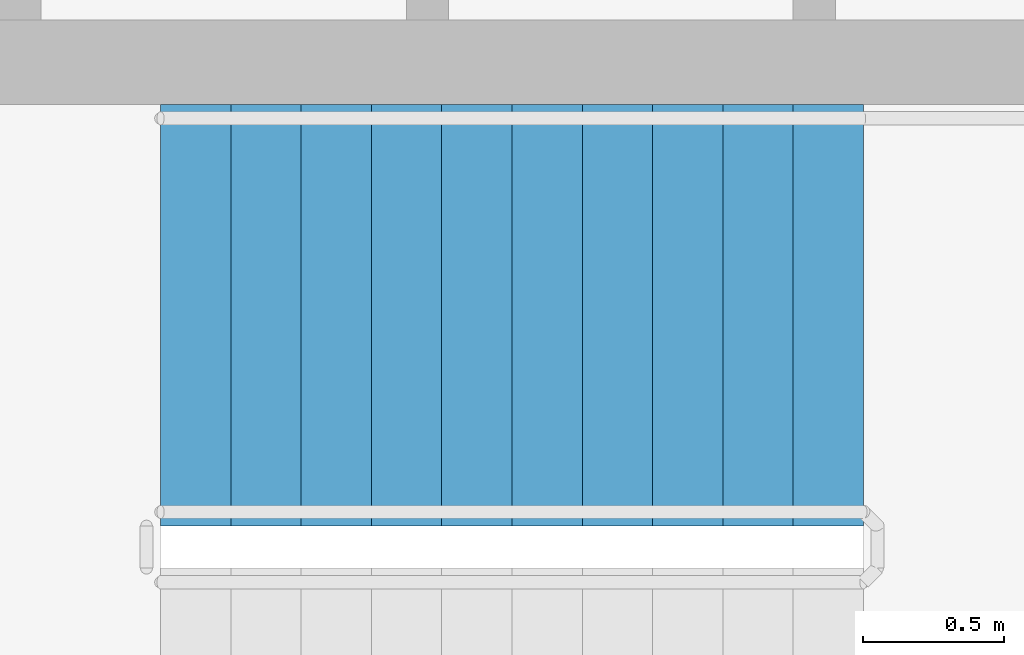
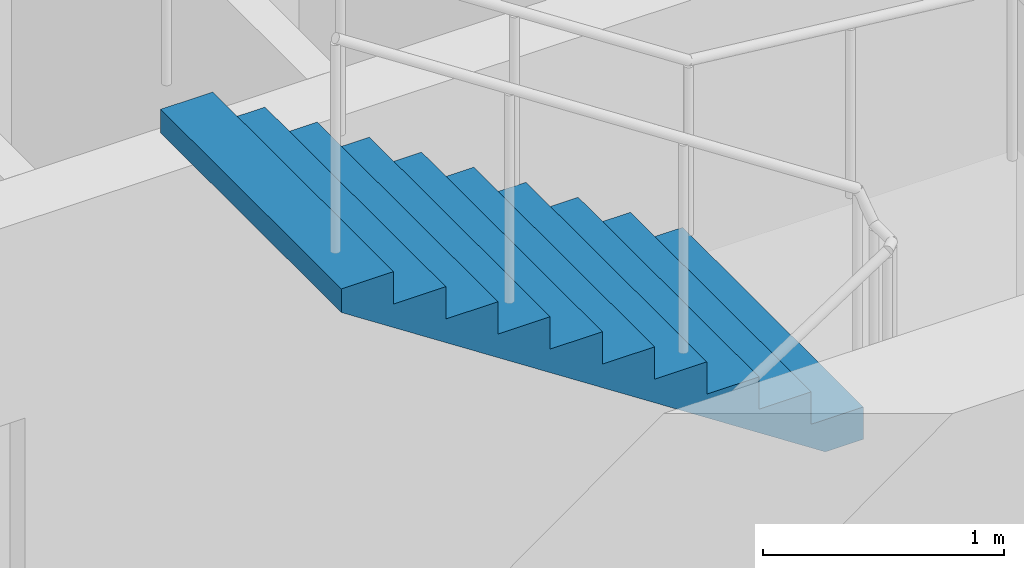
# One storey, part 12 of 13: 1 stair flight, 1 element without a shape of its own.
"""IFC4 building model written with IfcOpenShell, lengths in metres."""

from ifc_helpers import new_model, si_unit, direction, frame, origin, place, context, subcontext, project, spatial, polyline, outline, extrude, material, type_object, element, aggregate, save


model = new_model("IFC4")

# Units and contexts
model_context = context("Model", 3, precision=1e-05, world=origin(), true_north=direction((0.0, 1.0)))
body_context = subcontext(model_context, "Body", "Model", "MODEL_VIEW")
ifc_project = project(units=[si_unit("LENGTHUNIT", "METRE"), si_unit("AREAUNIT", "SQUARE_METRE"), si_unit("VOLUMEUNIT", "CUBIC_METRE"), si_unit("PLANEANGLEUNIT", "RADIAN"), si_unit("MASSUNIT", "GRAM", prefix="KILO")], contexts=[model_context])

# Site, building, storey
site_placement = place(None, origin())
site = spatial("IfcSite", under=ifc_project, at=site_placement, CompositionType="ELEMENT")
building_placement = place(site_placement, origin())
building = spatial("IfcBuilding", under=site, at=building_placement, Name="Tracery Tower", CompositionType="ELEMENT")
storey_placement = place(building_placement, frame((0.0, 0.0, 274.199951171875)))
storey = spatial("IfcBuildingStorey", under=building, at=storey_placement, Name="L71", CompositionType="ELEMENT", Elevation=274.199951171875)

# Stair, stair flight
ifc_material_1 = material(Name="Concrete C32/40", Category="concrete")
stair_type = type_object("IfcStairType", Name="Core stair 22 risers", PredefinedType="HALF_TURN_STAIR", material=ifc_material_1)
stair_placement = place(storey_placement, origin())
stair = element("IfcStair", 1, at=stair_placement, inside=storey, type_object=stair_type, Name="L71 stair ST2", PredefinedType="HALF_TURN_STAIR")
ifc_material_2 = material(Name="Concrete C32/40", Category="concrete")
stair_flight_type = type_object("IfcStairFlightType", Name="Core stair flight 11 risers", PredefinedType="STRAIGHT", material=ifc_material_2)
stair_flight_placement = place(storey_placement, frame((7.300048828125, -4.0, 1.800048828125), z_axis=(0.0, 0.0, 1.0), x_axis=(-1.0, 0.0, 0.0)))
stair_flight = element("IfcStairFlight", 2, at=stair_flight_placement, type_object=stair_flight_type, Name="ST2 flight 2", NumberOfRisers=11, NumberOfTreads=10, PredefinedType="STRAIGHT", RiserHeight=0.163636364, TreadLength=0.25, context=body_context, shape_type="SweptSolid", body=[
    extrude(outline(polyline([(0.0, 0.0), (0.0, 0.002685546875), (0.0, 0.00537109375), (0.0, 0.008056640625), (0.0, 0.0107421875), (0.0, 0.013427734375), (0.0, 0.01611328125), (0.0, 0.018798828125), (0.0, 0.021484375), (0.0, 0.024169921875), (0.0, 0.02685546875), (0.0, 0.029541015625), (0.0, 0.0322265625), (0.0, 0.034912109375), (0.0, 0.03759765625), (0.0, 0.040283203125), (0.0, 0.04296875), (0.0, 0.045654296875), (0.0, 0.04833984375), (0.0, 0.051025390625), (0.0, 0.0537109375), (0.0, 0.056396484375), (0.0, 0.05908203125), (0.0, 0.061767578125), (0.0, 0.064453125), (0.0, 0.067138671875), (0.0, 0.06982421875), (0.0, 0.072509765625), (0.0, 0.0751953125), (0.0, 0.077880859375), (0.0, 0.08056640625), (0.0, 0.083251953125), (0.0, 0.0859375), (0.0, 0.088623046875), (0.0, 0.09130859375), (0.0, 0.093994140625), (0.0, 0.0966796875), (0.0, 0.099365234375), (0.0, 0.10205078125), (0.0, 0.104736328125), (0.0, 0.107421875), (0.0, 0.10986328125), (0.0, 0.112548828125), (0.0, 0.115234375), (0.0, 0.117919921875), (0.0, 0.12060546875), (0.0, 0.123291015625), (0.0, 0.1259765625), (0.0, 0.128662109375), (0.0, 0.13134765625), (0.0, 0.134033203125), (0.0, 0.13671875), (0.0, 0.139404296875), (0.0, 0.14208984375), (0.0, 0.144775390625), (0.0, 0.1474609375), (0.0, 0.150146484375), (0.0, 0.15283203125), (0.0, 0.155517578125), (0.0, 0.158203125), (0.0, 0.160888671875), (0.0, 0.16357421875), (0.25, 0.16357421875), (0.25, 0.327392578125), (0.5, 0.327392578125), (0.5, 0.490966796875), (0.75, 0.490966796875), (0.75, 0.654541015625), (1.0, 0.654541015625), (1.0, 0.818115234375), (1.25, 0.818115234375), (1.25, 0.98193359375), (1.5, 0.98193359375), (1.5, 1.1455078125), (1.75, 1.1455078125), (1.75, 1.30908203125), (2.0, 1.30908203125), (2.0, 1.47265625), (2.25, 1.47265625), (2.25, 1.636474609375), (2.5, 1.636474609375), (2.5, 1.634521484375), (2.5, 1.63232421875), (2.5, 1.63037109375), (2.5, 1.62841796875), (2.5, 1.62646484375), (2.5, 1.62451171875), (2.5, 1.62255859375), (2.5, 1.62060546875), (2.5, 1.61865234375), (2.5, 1.61669921875), (2.5, 1.61474609375), (2.5, 1.61279296875), (2.5, 1.61083984375), (2.5, 1.60888671875), (2.5, 1.60693359375), (2.5, 1.60498046875), (2.5, 1.60302734375), (2.5, 1.60107421875), (2.5, 1.59912109375), (2.5, 1.59716796875), (2.5, 1.59521484375), (2.5, 1.59326171875), (2.5, 1.59130859375), (2.5, 1.58935546875), (2.5, 1.58740234375), (2.5, 1.58544921875), (2.5, 1.58349609375), (2.5, 1.58154296875), (2.5, 1.57958984375), (2.5, 1.57763671875), (2.5, 1.57568359375), (2.5, 1.573486328125), (2.5, 1.571533203125), (2.5, 1.569580078125), (2.5, 1.567626953125), (2.5, 1.565673828125), (2.5, 1.563720703125), (2.5, 1.561767578125), (2.5, 1.559814453125), (2.5, 1.557861328125), (2.5, 1.555908203125), (2.5, 1.553955078125), (2.5, 1.552001953125), (2.5, 1.550048828125), (2.5, 1.548095703125), (2.5, 1.546142578125), (2.5, 1.544189453125), (2.5, 1.542236328125), (2.5, 1.540283203125), (2.5, 1.538330078125), (2.5, 1.536376953125), (2.5, 1.534423828125), (2.5, 1.532470703125), (2.5, 1.530517578125), (2.5, 1.528564453125), (2.5, 1.526611328125), (2.5, 1.524658203125), (2.5, 1.522705078125), (2.5, 1.520751953125), (2.5, 1.518798828125), (2.5, 1.516845703125), (0.182861328125, 0.0), (0.0, 0.0)])), frame((0.0, 0.75, 0.0), z_axis=(0.0, -1.0, 0.0), x_axis=(1.0, 0.0, 0.0)), (0.0, 0.0, 1.0), 1.5),
])
aggregate(stair, [stair_flight])

save(model, "model.ifc")
